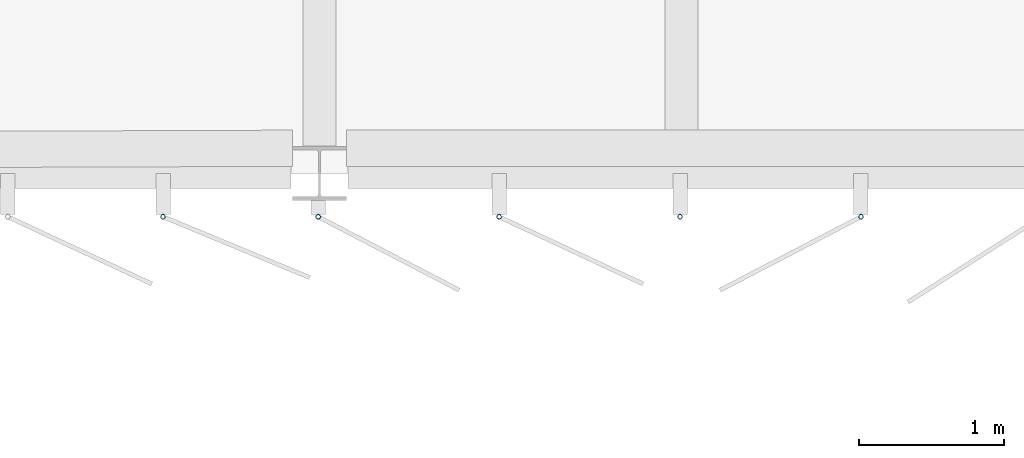
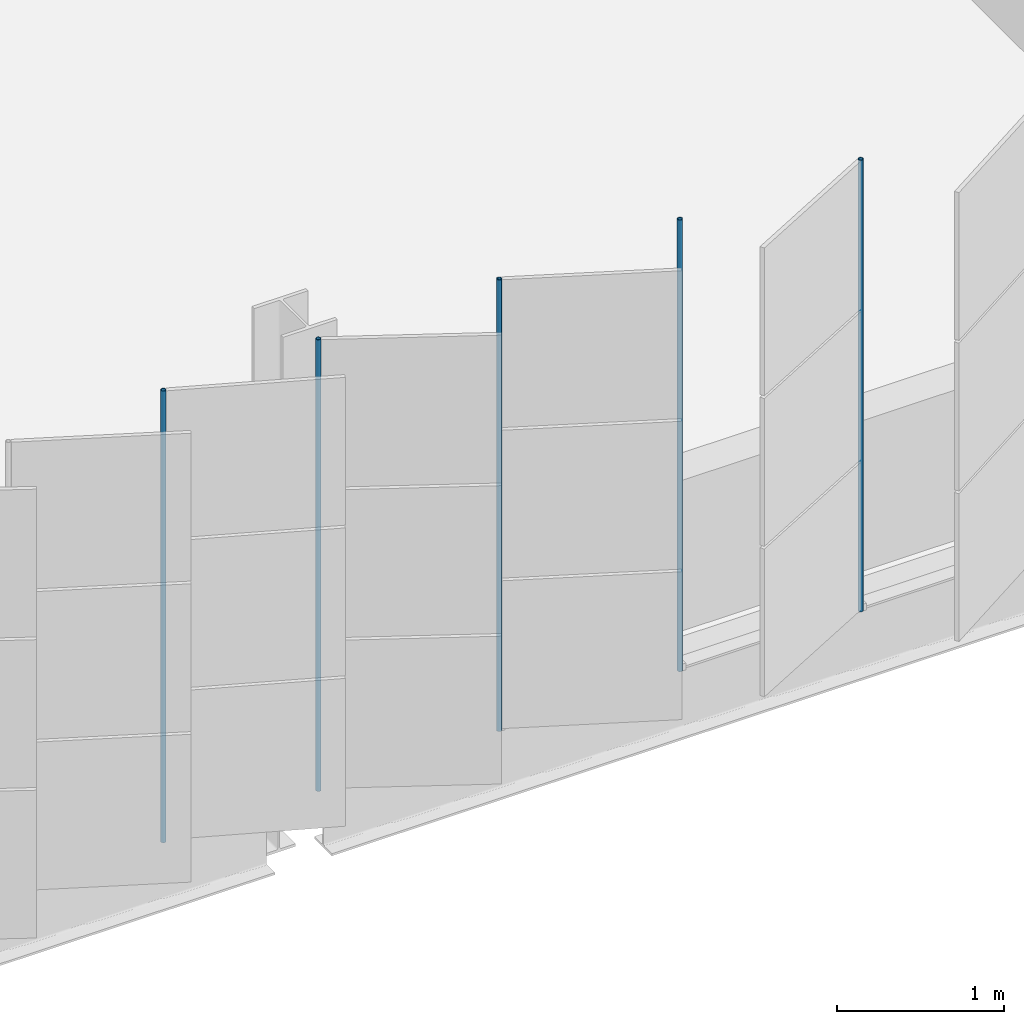
# One storey, part 100 of 214: 5 discrete accessories.
"""IFC4 building model written with IfcOpenShell, lengths in metres."""

from ifc_helpers import new_model, si_unit, direction, frame, origin, origin_2d, place, context, subcontext, project, spatial, hollow_circle, extrude, material, material_profile, profile_set, type_object, element, save


model = new_model("IFC4")

# Units and contexts
model_context = context("Model", 3, precision=1e-05, world=origin(), true_north=direction((0.0, 1.0)))
body_context = subcontext(model_context, "Body", "Model", "MODEL_VIEW")
ifc_project = project(units=[si_unit("LENGTHUNIT", "METRE"), si_unit("AREAUNIT", "SQUARE_METRE"), si_unit("VOLUMEUNIT", "CUBIC_METRE"), si_unit("PLANEANGLEUNIT", "RADIAN"), si_unit("MASSUNIT", "GRAM", prefix="KILO")], contexts=[model_context])

# Site, building, storey
site_placement = place(None, origin())
site = spatial("IfcSite", under=ifc_project, at=site_placement, CompositionType="ELEMENT")
building_placement = place(site_placement, origin())
building = spatial("IfcBuilding", under=site, at=building_placement, Name="Parallax Yard Mobility Hub", CompositionType="ELEMENT")
storey_placement = place(building_placement, frame((0.0, 0.0, 3.300048828125)))
storey = spatial("IfcBuildingStorey", under=building, at=storey_placement, Name="L01", CompositionType="ELEMENT", Elevation=3.300048828125)

# Discrete accessories
ifc_material = material(Name="Steel ASTM A500 Gr C, hot-dip galvanised", Category="steel")
ifc_material_profile = material_profile(ifc_material, hollow_circle(Radius=0.016845703125, WallThickness=0.003173828125, at=origin_2d()), Name="CHS 33.7x3.2")
ifc_profile_set = profile_set([ifc_material_profile], Name="Steel ASTM A500 Gr C, hot-dip galvanised")
discrete_accessory_type = type_object("IfcDiscreteAccessoryType", Name="Hinge post CHS 33.7x3.2", PredefinedType="BRACKET", material=ifc_profile_set)
for number, where, z_axis, x_axis, name in (
    (1, (118.919921875, 112.199951171875, 0.0), (0.0, 0.0, 1.0), (1.0, 0.0, 0.0), "Hinge post bay 11.7 level L01"),
    (2, (119.991455078125, 112.199951171875, 0.0), (0.0, 0.0, 1.0), (1.0, 0.0, 0.0), "Hinge post bay 12.1 level L01"),
    (3, (121.24072265625, 112.199951171875, 0.0), (0.0, 0.0, 1.0), (1.0, 0.0, 0.0), "Hinge post bay 12.2 level L01"),
    (4, (122.489990234375, 112.199951171875, 0.0), (0.0, 0.0, 1.0), (1.0, 0.0, 0.0), "Hinge post bay 12.3 level L01"),
    (5, (123.7392578125, 112.199951171875, 0.0), (0.0, 0.0, 1.0), (1.0, 0.0, 0.0), "Hinge post bay 12.4 level L01"),
):
    element("IfcDiscreteAccessory", number, at=place(storey_placement, frame(where, z_axis=z_axis, x_axis=x_axis)), inside=storey, type_object=discrete_accessory_type, Name=name, PredefinedType="BRACKET", context=body_context, shape_type="SweptSolid", body=[
        extrude(hollow_circle(Radius=0.016845703125, WallThickness=0.003173828125, at=origin_2d()), origin(), (0.0, 0.0, 1.0), 3.300048828125),
    ])

save(model, "model.ifc")
